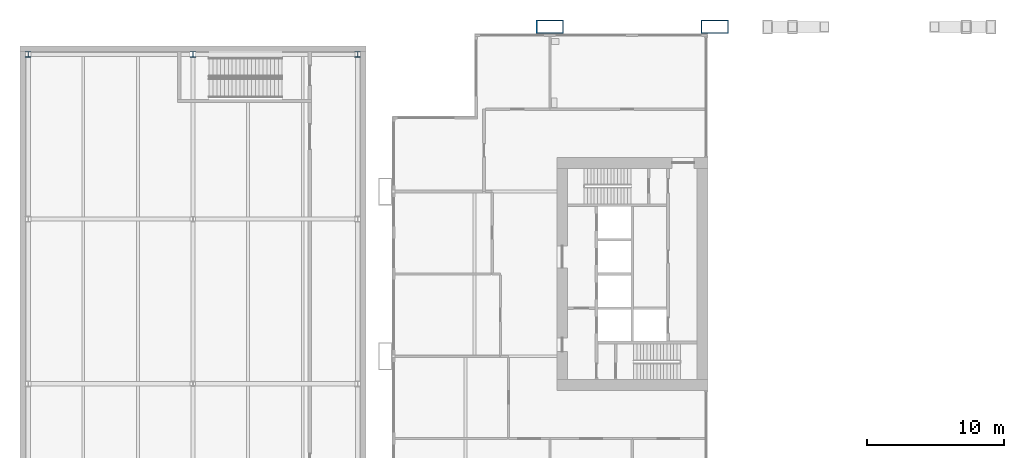
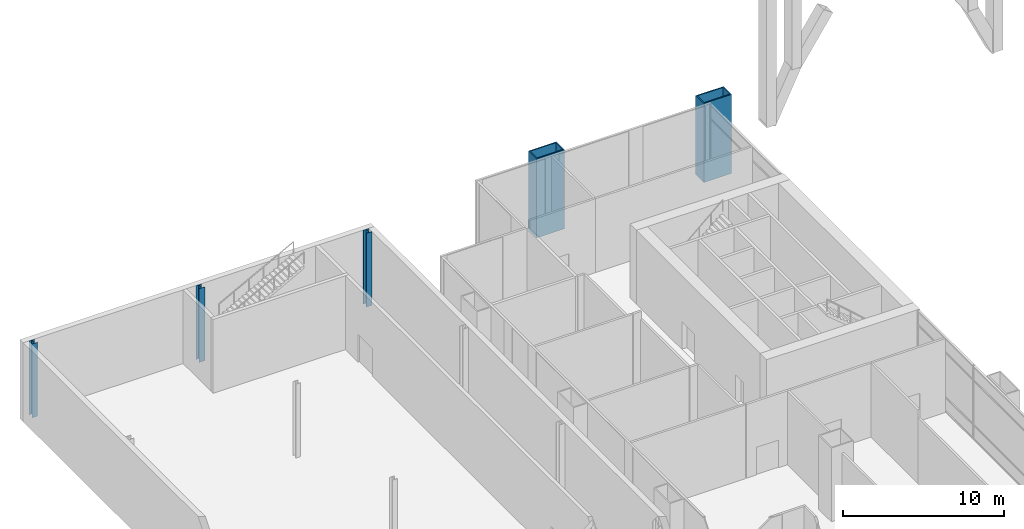
# One storey, part 5 of 25: 5 columns.
"""IFC4 building model written with IfcOpenShell, lengths in metres."""

from ifc_helpers import new_model, si_unit, direction, frame, origin, origin_2d, place, context, subcontext, project, spatial, hollow_rectangle, i_section, extrude, material, material_profile, profile_set, type_object, element, save


model = new_model("IFC4")

# Units and contexts
model_context = context("Model", 3, precision=1e-05, world=origin(), true_north=direction((0.0, 1.0)))
body_context = subcontext(model_context, "Body", "Model", "MODEL_VIEW")
ifc_project = project(units=[si_unit("LENGTHUNIT", "METRE"), si_unit("AREAUNIT", "SQUARE_METRE"), si_unit("VOLUMEUNIT", "CUBIC_METRE"), si_unit("PLANEANGLEUNIT", "RADIAN"), si_unit("MASSUNIT", "GRAM", prefix="KILO")], contexts=[model_context])

# Site, building, storey
site_placement = place(None, origin())
site = spatial("IfcSite", under=ifc_project, at=site_placement, CompositionType="ELEMENT")
building_placement = place(site_placement, origin())
building = spatial("IfcBuilding", under=site, at=building_placement, Name="Kitamizu Gate Tower and Museum", CompositionType="ELEMENT")
storey_placement = place(building_placement, frame((0.0, 0.0, 12.0)))
storey = spatial("IfcBuildingStorey", under=building, at=storey_placement, Name="L02", CompositionType="ELEMENT", Elevation=12.0)

# Columns
ifc_material_1 = material(Name="Steel SS400", Category="steel")
ifc_material_profile_1 = material_profile(ifc_material_1, i_section(OverallWidth=0.39990234375, OverallDepth=0.39990234375, WebThickness=0.012939453125, FlangeThickness=0.02099609375, FilletRadius=0.02197265625, at=origin_2d()), Name="H-400x400x13x21")
ifc_profile_set_1 = profile_set([ifc_material_profile_1], Name="Steel SS400")
column_type_1 = type_object("IfcColumnType", Name="Museum perimeter column H 400x400x13x21", PredefinedType="COLUMN", material=ifc_profile_set_1)
for number, where, z_axis, x_axis, name in (
    (1, (-26.0, 46.0, 0.0), (0.0, 0.0, 1.0), (1.0, 0.0, 0.0), "Column M1MG"),
    (2, (-14.0, 46.0, 0.0), (0.0, 0.0, 1.0), (1.0, 0.0, 0.0), "Column M2MG"),
    (3, (-2.0, 46.0, 0.0), (0.0, 0.0, 1.0), (1.0, 0.0, 0.0), "Column M3MG"),
):
    element("IfcColumn", number, at=place(storey_placement, frame(where, z_axis=z_axis, x_axis=x_axis)), inside=storey, type_object=column_type_1, Name=name, PredefinedType="COLUMN", context=body_context, shape_type="SweptSolid", body=[
        extrude(i_section(OverallWidth=0.39990234375, OverallDepth=0.39990234375, WebThickness=0.012939453125, FlangeThickness=0.02099609375, FilletRadius=0.02197265625, at=origin_2d()), origin(), (0.0, 0.0, 1.0), 5.60009765625),
    ])
ifc_material_2 = material(Name="Steel SM490A bronze coated", Category="steel")
ifc_material_profile_2 = material_profile(ifc_material_2, hollow_rectangle(XDim=2.0, YDim=1.0, WallThickness=0.080078125, at=origin_2d()), Name="BOX 2000x1000x80")
ifc_profile_set_2 = profile_set([ifc_material_profile_2], Name="Steel SM490A bronze coated")
column_type_2 = type_object("IfcColumnType", Name="Podium leg column LC1 BOX 2000x1000x80", PredefinedType="COLUMN", material=ifc_profile_set_2)
for number, where, z_axis, x_axis, name in (
    (4, (12.0, 48.0, -0.39990234375), (0.0, 0.0, 1.0), (1.0, 0.0, 0.0), "Column LC1 2E L02"),
    (5, (24.0, 48.0, -0.39990234375), (0.0, 0.0, 1.0), (1.0, 0.0, 0.0), "Column LC1 3E L02"),
):
    element("IfcColumn", number, at=place(storey_placement, frame(where, z_axis=z_axis, x_axis=x_axis)), inside=storey, type_object=column_type_2, Name=name, PredefinedType="COLUMN", context=body_context, shape_type="SweptSolid", body=[
        extrude(hollow_rectangle(XDim=2.0, YDim=1.0, WallThickness=0.080078125, at=origin_2d()), origin(), (0.0, 0.0, 1.0), 6.0),
    ])

save(model, "model.ifc")
